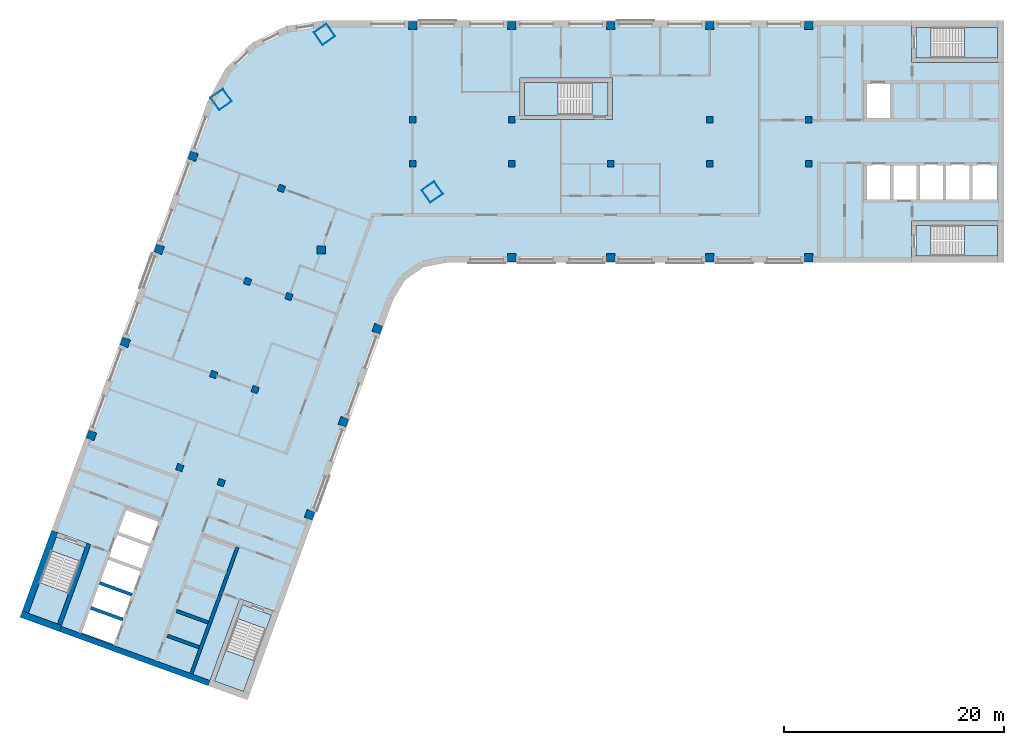
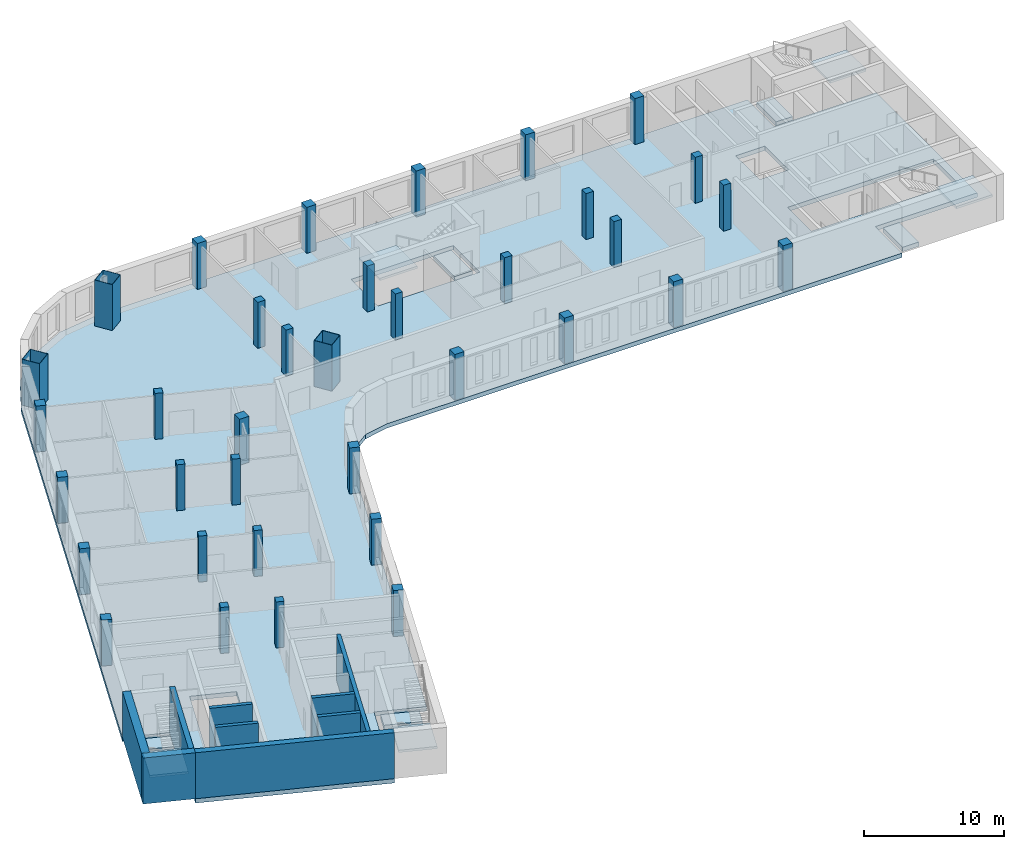
# One storey, part 1 of 8: 36 columns, 11 slabs, 9 walls, 5 elements without a shape of their own.
"""IFC4 building model written with IfcOpenShell, lengths in metres."""

from ifc_helpers import new_model, si_unit, direction, frame, frame_2d, origin, origin_2d, place, context, subcontext, project, spatial, polyline, rectangle, hollow_rectangle, outline, extrude, material, layer, layer_set, material_profile, profile_set, type_object, element, aggregate, save


model = new_model("IFC4")

# Units and contexts
model_context = context("Model", 3, precision=1e-05, world=origin(), true_north=direction((0.0, 1.0)))
body_context = subcontext(model_context, "Body", "Model", "MODEL_VIEW")
ifc_project = project(units=[si_unit("LENGTHUNIT", "METRE"), si_unit("AREAUNIT", "SQUARE_METRE"), si_unit("VOLUMEUNIT", "CUBIC_METRE"), si_unit("PLANEANGLEUNIT", "RADIAN"), si_unit("MASSUNIT", "GRAM", prefix="KILO")], contexts=[model_context])

# Site, building, storey
site_placement = place(None, origin())
site = spatial("IfcSite", under=ifc_project, at=site_placement, CompositionType="ELEMENT")
building_placement = place(site_placement, origin())
building = spatial("IfcBuilding", under=site, at=building_placement, Name="Skarvind Civic Tower", CompositionType="ELEMENT")
storey_placement = place(building_placement, frame((0.0, 0.0, 196.0)))
storey = spatial("IfcBuildingStorey", under=building, at=storey_placement, Name="L46", CompositionType="ELEMENT", Elevation=196.0)

# Columns
ifc_material_1 = material(Name="Concrete C60", Category="concrete")
ifc_material_profile_1 = material_profile(ifc_material_1, rectangle(XDim=0.60009765625, YDim=0.60009765625, at=origin_2d()), Name="RC-600x600")
ifc_profile_set_1 = profile_set([ifc_material_profile_1], Name="Concrete C60")
column_type_1 = type_object("IfcColumnType", Name="Column RC-600x600 C60", PredefinedType="COLUMN", material=ifc_profile_set_1)
for number, where, z_axis, x_axis, name in (
    (1, (54.25, 130.0, 0.0), (0.0, 0.0, 1.0), (1.0, 0.0, 0.0), "Column wing 1 north inner 02 L46"),
    (2, (63.25, 130.0, 0.0), (0.0, 0.0, 1.0), (1.0, 0.0, 0.0), "Column wing 1 north inner 03 L46"),
    (3, (81.25, 130.0, 0.0), (0.0, 0.0, 1.0), (1.0, 0.0, 0.0), "Column wing 1 north inner 05 L46"),
    (4, (90.25, 130.0, 0.0), (0.0, 0.0, 1.0), (1.0, 0.0, 0.0), "Column wing 1 north inner 06 L46"),
    (5, (54.25, 126.0, 0.0), (0.0, 0.0, 1.0), (1.0, 0.0, 0.0), "Column wing 1 south inner 02 L46"),
    (6, (63.25, 126.0, 0.0), (0.0, 0.0, 1.0), (1.0, 0.0, 0.0), "Column wing 1 south inner 03 L46"),
    (7, (72.25, 126.0, 0.0), (0.0, 0.0, 1.0), (1.0, 0.0, 0.0), "Column wing 1 south inner 04 L46"),
    (8, (81.25, 126.0, 0.0), (0.0, 0.0, 1.0), (1.0, 0.0, 0.0), "Column wing 1 south inner 05 L46"),
    (9, (90.25, 126.0, 0.0), (0.0, 0.0, 1.0), (1.0, 0.0, 0.0), "Column wing 1 south inner 06 L46"),
    (10, (43.005615234375, 113.92529296875, 0.0), (0.0, 0.0, 1.0), (-0.342020143326, -0.939692620786, 0.0), "Column wing 2 left inner 02 L46"),
    (11, (39.927490234375, 105.468017578125, 0.0), (0.0, 0.0, 1.0), (-0.342020143326, -0.939692620786, 0.0), "Column wing 2 left inner 03 L46"),
    (12, (36.84912109375, 97.010986328125, 0.0), (0.0, 0.0, 1.0), (-0.342020143326, -0.939692620786, 0.0), "Column wing 2 left inner 04 L46"),
    (13, (42.324951171875, 123.750732421875, 0.0), (0.0, 0.0, 1.0), (-0.342020143326, -0.939692620786, 0.0), "Column wing 2 right inner 01 L46"),
    (14, (39.246826171875, 115.29345703125, 0.0), (0.0, 0.0, 1.0), (-0.342020143326, -0.939692620786, 0.0), "Column wing 2 right inner 02 L46"),
    (15, (36.168701171875, 106.836181640625, 0.0), (0.0, 0.0, 1.0), (-0.342020143326, -0.939692620786, 0.0), "Column wing 2 right inner 03 L46"),
    (16, (33.090576171875, 98.37890625, 0.0), (0.0, 0.0, 1.0), (-0.342020143326, -0.939692620786, 0.0), "Column wing 2 right inner 04 L46"),
):
    element("IfcColumn", number, at=place(storey_placement, frame(where, z_axis=z_axis, x_axis=x_axis)), inside=storey, type_object=column_type_1, Name=name, PredefinedType="COLUMN", context=body_context, shape_type="SweptSolid", body=[
        extrude(rectangle(XDim=0.60009765625, YDim=0.60009765625, at=origin_2d()), origin(), (0.0, 0.0, 1.0), 4.0),
    ])
ifc_material_profile_2 = material_profile(ifc_material_1, rectangle(XDim=0.75, YDim=0.75, at=origin_2d()), Name="RC-750x750")
ifc_profile_set_2 = profile_set([ifc_material_profile_2], Name="Concrete C60")
column_type_2 = type_object("IfcColumnType", Name="Column RC-750x750 C60", PredefinedType="COLUMN", material=ifc_profile_set_2)
for number, where, z_axis, x_axis, name in (
    (17, (54.25, 138.550048828125, 0.0), (0.0, 0.0, 1.0), (1.0, 0.0, 0.0), "Column wing 1 north perimeter 02 L46"),
    (18, (63.25, 138.550048828125, 0.0), (0.0, 0.0, 1.0), (1.0, 0.0, 0.0), "Column wing 1 north perimeter 03 L46"),
    (19, (72.25, 138.550048828125, 0.0), (0.0, 0.0, 1.0), (1.0, 0.0, 0.0), "Column wing 1 north perimeter 04 L46"),
    (20, (81.25, 138.550048828125, 0.0), (0.0, 0.0, 1.0), (1.0, 0.0, 0.0), "Column wing 1 north perimeter 05 L46"),
    (21, (90.25, 138.550048828125, 0.0), (0.0, 0.0, 1.0), (1.0, 0.0, 0.0), "Column wing 1 north perimeter 06 L46"),
    (22, (45.95166015625, 118.151611328125, 0.0), (0.0, 0.0, 1.0), (1.0, 0.0, 0.0), "Column wing 1 south perimeter 01 L46"),
    (23, (63.25, 117.449951171875, 0.0), (0.0, 0.0, 1.0), (1.0, 0.0, 0.0), "Column wing 1 south perimeter 03 L46"),
    (24, (72.25, 117.449951171875, 0.0), (0.0, 0.0, 1.0), (1.0, 0.0, 0.0), "Column wing 1 south perimeter 04 L46"),
    (25, (81.25, 117.449951171875, 0.0), (0.0, 0.0, 1.0), (1.0, 0.0, 0.0), "Column wing 1 south perimeter 05 L46"),
    (26, (90.25, 117.449951171875, 0.0), (0.0, 0.0, 1.0), (1.0, 0.0, 0.0), "Column wing 1 south perimeter 06 L46"),
    (27, (51.0400390625, 111.0009765625, 0.0), (0.0, 0.0, 1.0), (-0.342020143326, -0.939692620786, 0.0), "Column wing 2 left perimeter 02 L46"),
    (28, (47.961669921875, 102.5439453125, 0.0), (0.0, 0.0, 1.0), (-0.342020143326, -0.939692620786, 0.0), "Column wing 2 left perimeter 03 L46"),
    (29, (44.883544921875, 94.086669921875, 0.0), (0.0, 0.0, 1.0), (-0.342020143326, -0.939692620786, 0.0), "Column wing 2 left perimeter 04 L46"),
    (30, (34.29052734375, 126.6748046875, 0.0), (0.0, 0.0, 1.0), (-0.342020143326, -0.939692620786, 0.0), "Column wing 2 right perimeter 01 L46"),
    (31, (31.21240234375, 118.2177734375, 0.0), (0.0, 0.0, 1.0), (-0.342020143326, -0.939692620786, 0.0), "Column wing 2 right perimeter 02 L46"),
    (32, (28.13427734375, 109.760498046875, 0.0), (0.0, 0.0, 1.0), (-0.342020143326, -0.939692620786, 0.0), "Column wing 2 right perimeter 03 L46"),
    (33, (25.05615234375, 101.30322265625, 0.0), (0.0, 0.0, 1.0), (-0.342020143326, -0.939692620786, 0.0), "Column wing 2 right perimeter 04 L46"),
):
    element("IfcColumn", number, at=place(storey_placement, frame(where, z_axis=z_axis, x_axis=x_axis)), inside=storey, type_object=column_type_2, Name=name, PredefinedType="COLUMN", context=body_context, shape_type="SweptSolid", body=[
        extrude(rectangle(XDim=0.75, YDim=0.75, at=origin_2d()), origin(), (0.0, 0.0, 1.0), 4.0),
    ])
ifc_material_2 = material(Name="Composite concrete-filled steel tube, Steel SM355 with Concrete C60", Category="concrete")
ifc_material_profile_3 = material_profile(ifc_material_2, hollow_rectangle(XDim=1.39990234375, YDim=1.39990234375, WallThickness=0.031982421875, at=origin_2d()), Name="BOX-1400x1400x32")
ifc_profile_set_3 = profile_set([ifc_material_profile_3], Name="Composite concrete-filled steel tube, Steel SM355 with Concrete C60")
column_type_3 = type_object("IfcColumnType", Name="Mega column BOX-1400x1400x32 filled C60", PredefinedType="COLUMN", material=ifc_profile_set_3)
for number, where, z_axis, x_axis, name in (
    (34, (36.845947265625, 131.837646484375, 0.0), (0.0, 0.0, 1.0), (0.573576436351, -0.819152044289, 0.0), "Mega column 1 L46"),
    (35, (46.2470703125, 137.762451171875, 0.0), (0.0, 0.0, 1.0), (0.573576436351, -0.819152044289, 0.0), "Mega column 2 L46"),
    (36, (56.0361328125, 123.43017578125, 0.0), (0.0, 0.0, 1.0), (0.573576436351, -0.819152044289, 0.0), "Mega column 4 L46"),
):
    element("IfcColumn", number, at=place(storey_placement, frame(where, z_axis=z_axis, x_axis=x_axis)), inside=storey, type_object=column_type_3, Name=name, PredefinedType="COLUMN", context=body_context, shape_type="SweptSolid", body=[
        extrude(hollow_rectangle(XDim=1.39990234375, YDim=1.39990234375, WallThickness=0.031982421875, at=origin_2d()), origin(), (0.0, 0.0, 1.0), 4.0),
    ])

# Slabs
ifc_material_3 = material(Name="Concrete C50", Category="concrete")
ifc_layer_1 = layer(ifc_material_3, 0.375)
ifc_layer_set_1 = layer_set([ifc_layer_1], Name="Floor slab 375 C50")
slab_type_1 = type_object("IfcSlabType", Name="Floor slab 375 C50", PredefinedType="FLOOR", material=ifc_layer_set_1)
slab_1_placement = place(storey_placement, frame((0.0, 0.0, -0.375)))
element("IfcSlab", 37, at=slab_1_placement, inside=storey, type_object=slab_type_1, Name="Floor slab L46 1", PredefinedType="FLOOR", context=body_context, shape_type="SweptSolid", body=[
    extrude(outline(polyline([(99.60009765625, 117.0), (99.60009765625, 120.800048828125), (108.0, 120.800048828125), (108.0, 135.199951171875), (99.60009765625, 135.199951171875), (99.60009765625, 139.0), (46.095458984375, 139.0), (42.739501953125, 138.5009765625), (39.6943359375, 137.005615234375), (37.24755859375, 134.6552734375), (35.630615234375, 131.672607421875), (19.41748046875, 87.126708984375), (21.435302734375, 92.6708984375), (25.006103515625, 91.371337890625), (22.13330078125, 83.477783203125), (36.886474609375, 78.108154296875), (35.664794921875, 78.552734375), (38.53759765625, 86.4462890625), (42.108642578125, 85.146484375), (40.0908203125, 79.602294921875), (40.0908203125, 79.602294921875), (52.493896484375, 113.68017578125), (53.560791015625, 115.421630859375), (55.23388671875, 116.593017578125), (57.235107421875, 117.0), (99.60009765625, 117.0)]), holes=[polyline([(25.671630859375, 87.9365234375), (26.492431640625, 90.19189453125), (27.313232421875, 92.447021484375), (28.134033203125, 94.702392578125), (31.3291015625, 93.53955078125), (30.50830078125, 91.2841796875), (29.6875, 89.029052734375), (28.866455078125, 86.773681640625), (28.866455078125, 86.773681640625), (28.045654296875, 84.5185546875), (27.224853515625, 82.26318359375), (24.02978515625, 83.426025390625), (24.8505859375, 85.681396484375), (25.671630859375, 87.9365234375), (25.671630859375, 87.9365234375)]), polyline([(64.0, 130.0), (64.0, 133.800048828125), (72.39990234375, 133.800048828125), (72.39990234375, 130.0), (64.0, 130.0)]), polyline([(97.800048828125, 126.0), (100.199951171875, 126.0), (102.60009765625, 126.0), (105.0, 126.0), (107.39990234375, 126.0), (107.39990234375, 122.60009765625), (105.0, 122.60009765625), (102.60009765625, 122.60009765625), (100.199951171875, 122.60009765625), (97.800048828125, 122.60009765625), (95.39990234375, 122.60009765625), (95.39990234375, 126.0), (97.800048828125, 126.0)]), polyline([(97.800048828125, 133.39990234375), (97.800048828125, 130.0), (95.39990234375, 130.0), (95.39990234375, 133.39990234375), (97.800048828125, 133.39990234375)])]), origin(), (0.0, 0.0, 1.0), 0.375),
])
ifc_material_4 = material(Name="Concrete C40/50", Category="concrete")
ifc_layer_2 = layer(ifc_material_4, 0.375)
ifc_layer_set_2 = layer_set([ifc_layer_2], Name="Stair floor landing slab 375")
slab_type_2 = type_object("IfcSlabType", Name="Stair floor landing slab 375", PredefinedType="LANDING", material=ifc_layer_set_2)
slab_2_placement = place(storey_placement, frame((0.0, 0.0, -0.375)))
element("IfcSlab", 38, at=slab_2_placement, inside=storey, type_object=slab_type_2, Name="Stair floor landing", PredefinedType="LANDING", context=body_context, shape_type="SweptSolid", body=[
    extrude(outline(polyline([(101.3505859375, 138.400634765625), (101.3505859375, 135.599365234375), (99.99951171875, 135.599365234375), (99.99951171875, 138.400634765625), (101.3505859375, 138.400634765625)])), origin(), (0.0, 0.0, 1.0), 0.375),
])
slab_3_placement = place(storey_placement, frame((0.0, 0.0, -0.375)))
element("IfcSlab", 39, at=slab_3_placement, inside=storey, type_object=slab_type_2, Name="Stair floor landing", PredefinedType="LANDING", context=body_context, shape_type="SweptSolid", body=[
    extrude(outline(polyline([(101.3505859375, 120.400634765625), (101.3505859375, 117.599365234375), (99.99951171875, 117.599365234375), (99.99951171875, 120.400634765625), (101.3505859375, 120.400634765625)])), origin(), (0.0, 0.0, 1.0), 0.375),
])
slab_4_placement = place(storey_placement, frame((0.0, 0.0, -0.375)))
element("IfcSlab", 40, at=slab_4_placement, inside=storey, type_object=slab_type_2, Name="Stair floor landing", PredefinedType="LANDING", context=body_context, shape_type="SweptSolid", body=[
    extrude(outline(polyline([(40.946533203125, 83.70654296875), (38.314208984375, 84.66455078125), (38.7763671875, 85.934326171875), (41.40869140625, 84.976318359375), (40.946533203125, 83.70654296875)])), origin(), (0.0, 0.0, 1.0), 0.375),
])
slab_5_placement = place(storey_placement, frame((0.0, 0.0, -0.375)))
element("IfcSlab", 41, at=slab_5_placement, inside=storey, type_object=slab_type_2, Name="Stair floor landing", PredefinedType="LANDING", context=body_context, shape_type="SweptSolid", body=[
    extrude(outline(polyline([(24.0322265625, 89.863037109375), (21.39990234375, 90.821044921875), (21.862060546875, 92.090576171875), (24.494384765625, 91.132568359375), (24.0322265625, 89.863037109375)])), origin(), (0.0, 0.0, 1.0), 0.375),
])
slab_6_placement = place(storey_placement, frame((0.0, 0.0, -0.375)))
element("IfcSlab", 42, at=slab_6_placement, inside=storey, type_object=slab_type_2, Name="Stair floor landing", PredefinedType="LANDING", context=body_context, shape_type="SweptSolid", body=[
    extrude(outline(polyline([(70.54931640625, 130.3994140625), (70.54931640625, 133.400634765625), (72.00048828125, 133.400634765625), (72.00048828125, 130.3994140625), (70.54931640625, 130.3994140625)])), origin(), (0.0, 0.0, 1.0), 0.375),
])

# Stair, slab
stair_type_1 = type_object("IfcStairType", Name="Exit stair, half-turn, concrete", PredefinedType="HALF_TURN_STAIR", material=ifc_material_4)
stair_1_placement = place(storey_placement, origin())
stair_1 = element("IfcStair", 43, at=stair_1_placement, inside=storey, type_object=stair_type_1, Name="Exit stair C1S", PredefinedType="HALF_TURN_STAIR")
ifc_layer_3 = layer(ifc_material_4, 0.199951171875)
ifc_layer_set_3 = layer_set([ifc_layer_3], Name="Stair half landing slab")
slab_type_3 = type_object("IfcSlabType", Name="Stair half landing slab", PredefinedType="LANDING", material=ifc_layer_set_3)
slab_7_placement = place(storey_placement, frame((0.0, 0.0, 1.800048828125)))
slab_7 = element("IfcSlab", 44, at=slab_7_placement, type_object=slab_type_3, Name="ST-C1S landing 1", PredefinedType="LANDING", context=body_context, shape_type="SweptSolid", body=[
    extrude(outline(polyline([(104.429443359375, 135.599365234375), (104.429443359375, 138.400634765625), (107.400634765625, 138.400634765625), (107.400634765625, 135.599365234375), (104.429443359375, 135.599365234375)])), origin(), (0.0, 0.0, 1.0), 0.199951171875),
])
aggregate(stair_1, [slab_7])

stair_2_placement = place(storey_placement, origin())
stair_2 = element("IfcStair", 45, at=stair_2_placement, inside=storey, type_object=stair_type_1, Name="Exit stair C1N", PredefinedType="HALF_TURN_STAIR")
slab_8_placement = place(storey_placement, frame((0.0, 0.0, 1.800048828125)))
slab_8 = element("IfcSlab", 46, at=slab_8_placement, type_object=slab_type_3, Name="ST-C1N landing 1", PredefinedType="LANDING", context=body_context, shape_type="SweptSolid", body=[
    extrude(outline(polyline([(104.429443359375, 117.599365234375), (104.429443359375, 120.400634765625), (107.400634765625, 120.400634765625), (107.400634765625, 117.599365234375), (104.429443359375, 117.599365234375)])), origin(), (0.0, 0.0, 1.0), 0.199951171875),
])
aggregate(stair_2, [slab_8])

stair_3_placement = place(storey_placement, origin())
stair_3 = element("IfcStair", 47, at=stair_3_placement, inside=storey, type_object=stair_type_1, Name="Exit stair C2S", PredefinedType="HALF_TURN_STAIR")
slab_9_placement = place(storey_placement, frame((0.0, 0.0, 1.800048828125)))
slab_9 = element("IfcSlab", 48, at=slab_9_placement, type_object=slab_type_3, Name="ST-C2S landing 1", PredefinedType="LANDING", context=body_context, shape_type="SweptSolid", body=[
    extrude(outline(polyline([(37.26123046875, 81.771484375), (39.8935546875, 80.8134765625), (38.87744140625, 78.021484375), (36.2451171875, 78.9794921875), (37.26123046875, 81.771484375)])), origin(), (0.0, 0.0, 1.0), 0.199951171875),
])
aggregate(stair_3, [slab_9])

stair_4_placement = place(storey_placement, origin())
stair_4 = element("IfcStair", 49, at=stair_4_placement, inside=storey, type_object=stair_type_1, Name="Exit stair C2N", PredefinedType="HALF_TURN_STAIR")
slab_10_placement = place(storey_placement, frame((0.0, 0.0, 1.800048828125)))
slab_10 = element("IfcSlab", 50, at=slab_10_placement, type_object=slab_type_3, Name="ST-C2N landing 1", PredefinedType="LANDING", context=body_context, shape_type="SweptSolid", body=[
    extrude(outline(polyline([(20.346923828125, 87.927734375), (22.97900390625, 86.9697265625), (21.962890625, 84.177734375), (19.33056640625, 85.1357421875), (20.346923828125, 87.927734375)])), origin(), (0.0, 0.0, 1.0), 0.199951171875),
])
aggregate(stair_4, [slab_10])

stair_type_2 = type_object("IfcStairType", Name="Exit stair 1450, half-turn, concrete", PredefinedType="HALF_TURN_STAIR", material=ifc_material_4)
stair_5_placement = place(storey_placement, origin())
stair_5 = element("IfcStair", 51, at=stair_5_placement, inside=storey, type_object=stair_type_2, Name="Exit stair CM", PredefinedType="HALF_TURN_STAIR")
slab_11_placement = place(storey_placement, frame((0.0, 0.0, 1.800048828125)))
slab_11 = element("IfcSlab", 52, at=slab_11_placement, type_object=slab_type_3, Name="ST-CM landing 1", PredefinedType="LANDING", context=body_context, shape_type="SweptSolid", body=[
    extrude(outline(polyline([(67.470703125, 133.400634765625), (67.470703125, 130.3994140625), (64.3994140625, 130.3994140625), (64.3994140625, 133.400634765625), (67.470703125, 133.400634765625)])), origin(), (0.0, 0.0, 1.0), 0.199951171875),
])
aggregate(stair_5, [slab_11])

# Walls
ifc_layer_4 = layer(ifc_material_1, 0.300048828125)
ifc_layer_set_4 = layer_set([ifc_layer_4], Name="Core wall 300 C60")
wall_type_1 = type_object("IfcWallType", Name="Core wall 300 C60", PredefinedType="SHEAR", material=ifc_layer_set_4)
wall_1_placement = place(storey_placement, frame((34.144287109375, 79.638427734375, 0.0), z_axis=(0.0, 0.0, 1.0), x_axis=(0.342016684409, 0.939693879721, 0.0)))
element("IfcWall", 53, at=wall_1_placement, inside=storey, type_object=wall_type_1, Name="Core wall C2 south lift row back L46", PredefinedType="SHEAR", context=body_context, shape_type="SweptSolid", body=[
    extrude(rectangle(XDim=12.25, YDim=0.300048828125, at=frame_2d((6.125, 0.0))), origin(), (0.0, 0.0, 1.0), 4.0),
])
wall_2_placement = place(storey_placement, frame((34.8583984375, 82.038818359375, 0.0), z_axis=(0.0, 0.0, 1.0), x_axis=(-0.939689908313, 0.342027595692, 0.0)))
element("IfcWall", 54, at=wall_2_placement, inside=storey, type_object=wall_type_1, Name="Core wall C2 south lift row division 1 L46", PredefinedType="SHEAR", context=body_context, shape_type="SweptSolid", body=[
    extrude(rectangle(XDim=3.10009765625, YDim=0.300048828125, at=frame_2d((1.550048828125, 0.0))), origin(), (0.0, 0.0, 1.0), 4.0),
])
wall_3_placement = place(storey_placement, frame((35.67919921875, 84.294189453125, 0.0), z_axis=(0.0, 0.0, 1.0), x_axis=(-0.939706007505, 0.341983361377, 0.0)))
element("IfcWall", 55, at=wall_3_placement, inside=storey, type_object=wall_type_1, Name="Core wall C2 south lift row division 2 L46", PredefinedType="SHEAR", context=body_context, shape_type="SweptSolid", body=[
    extrude(rectangle(XDim=3.099853515625, YDim=0.300048828125, at=frame_2d((1.5498046875, 0.0))), origin(), (0.0, 0.0, 1.0), 4.0),
])
for number, where, z_axis, x_axis, name in (
    (56, (27.90478515625, 84.56982421875, 0.0), (0.0, 0.0, 1.0), (-0.939689908313, 0.342027595692, 0.0), "Core wall C2 north lift row division 1 L46"),
    (57, (28.7255859375, 86.824951171875, 0.0), (0.0, 0.0, 1.0), (-0.939689908313, 0.342027595692, 0.0), "Core wall C2 north lift row division 2 L46"),
):
    element("IfcWall", number, at=place(storey_placement, frame(where, z_axis=z_axis, x_axis=x_axis)), inside=storey, type_object=wall_type_1, Name=name, PredefinedType="SHEAR", context=body_context, shape_type="SweptSolid", body=[
        extrude(rectangle(XDim=3.10009765625, YDim=0.300048828125, at=frame_2d((1.550048828125, 0.0))), origin(), (0.0, 0.0, 1.0), 4.0),
    ])
ifc_layer_5 = layer(ifc_material_1, 0.39990234375)
ifc_layer_set_5 = layer_set([ifc_layer_5], Name="Core wall 400 C60")
wall_type_2 = type_object("IfcWallType", Name="Core wall 400 C60", PredefinedType="SHEAR", material=ifc_layer_set_5)
wall_4_placement = place(storey_placement, frame((22.150390625, 84.110107421875, 0.0), z_axis=(0.0, 0.0, 1.0), x_axis=(0.342016982193, 0.939693771338, 0.0)))
element("IfcWall", 58, at=wall_4_placement, inside=storey, type_object=wall_type_2, Name="Core wall C2 north stair inner L46", PredefinedType="SHEAR", context=body_context, shape_type="SweptSolid", body=[
    extrude(rectangle(XDim=7.800048828125, YDim=0.39990234375, at=frame_2d((3.89990234375, 0.0))), origin(), (0.0, 0.0, 1.0), 4.0),
])
ifc_layer_6 = layer(ifc_material_1, 0.5)
ifc_layer_set_6 = layer_set([ifc_layer_6], Name="Core wall 500 C60")
wall_type_3 = type_object("IfcWallType", Name="Core wall 500 C60", PredefinedType="SHEAR", material=ifc_layer_set_6)
wall_5_placement = place(storey_placement, frame((35.750244140625, 78.787841796875, 0.0), z_axis=(0.0, 0.0, 1.0), x_axis=(-0.939692894512, 0.342019391267, 0.0)))
element("IfcWall", 59, at=wall_5_placement, inside=storey, type_object=wall_type_3, Name="Core wall C2 tip between the stairs L46", PredefinedType="SHEAR", context=body_context, shape_type="SweptSolid", body=[
    extrude(rectangle(XDim=14.39990234375, YDim=0.5, at=frame_2d((7.199951171875, 0.0))), origin(), (0.0, 0.0, 1.0), 4.0),
])
ifc_layer_7 = layer(ifc_material_1, 0.60009765625)
ifc_layer_set_7 = layer_set([ifc_layer_7], Name="Core wall 600 C60")
wall_type_4 = type_object("IfcWallType", Name="Core wall 600 C60", PredefinedType="SHEAR", material=ifc_layer_set_7)
wall_6_placement = place(storey_placement, frame((22.23583984375, 83.759765625, 0.0), z_axis=(0.0, 0.0, 1.0), x_axis=(-0.939680822529, 0.342052557032, 0.0)))
element("IfcWall", 60, at=wall_6_placement, inside=storey, type_object=wall_type_4, Name="Core wall C2 tip at the north stair L46", PredefinedType="SHEAR", context=body_context, shape_type="SweptSolid", body=[
    extrude(rectangle(XDim=3.800048828125, YDim=0.60009765625, at=frame_2d((1.89990234375, 0.0))), origin(), (0.0, 0.0, 1.0), 4.0),
])
wall_7_placement = place(storey_placement, frame((19.049560546875, 85.23876953125, 0.0), z_axis=(0.0, 0.0, 1.0), x_axis=(0.342016982193, 0.939693771338, 0.0)))
element("IfcWall", 61, at=wall_7_placement, inside=storey, type_object=wall_type_4, Name="Core wall C2 north side at the stair L46", PredefinedType="SHEAR", context=body_context, shape_type="SweptSolid", body=[
    extrude(rectangle(XDim=7.800048828125, YDim=0.60009765625, at=frame_2d((3.89990234375, 0.0))), origin(), (0.0, 0.0, 1.0), 4.0),
])

save(model, "model.ifc")
